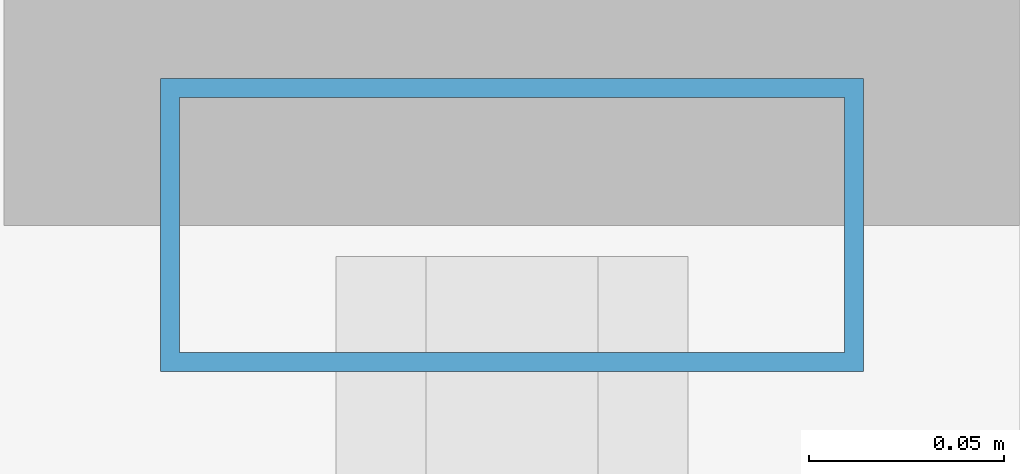
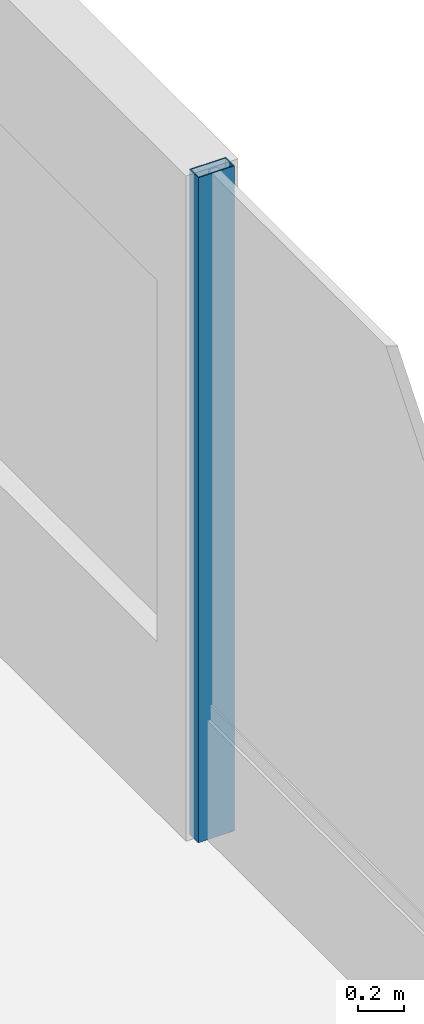
# One storey, part 15 of 25: 1 member, 1 element without a shape of its own.
"""IFC4 building model written with IfcOpenShell, lengths in metres."""

from ifc_helpers import new_model, si_unit, direction, frame, origin, origin_2d, place, context, subcontext, project, spatial, hollow_rectangle, extrude, material, layer, layer_set, material_profile, profile_set, type_object, element, aggregate, save


model = new_model("IFC4")

# Units and contexts
model_context = context("Model", 3, precision=1e-05, world=origin(), true_north=direction((0.0, 1.0)))
body_context = subcontext(model_context, "Body", "Model", "MODEL_VIEW")
ifc_project = project(units=[si_unit("LENGTHUNIT", "METRE"), si_unit("AREAUNIT", "SQUARE_METRE"), si_unit("VOLUMEUNIT", "CUBIC_METRE"), si_unit("PLANEANGLEUNIT", "RADIAN"), si_unit("MASSUNIT", "GRAM", prefix="KILO")], contexts=[model_context])

# Site, building, storey
site_placement = place(None, origin())
site = spatial("IfcSite", under=ifc_project, at=site_placement, CompositionType="ELEMENT")
building_placement = place(site_placement, origin())
building = spatial("IfcBuilding", under=site, at=building_placement, Name="Belovzor Exchange Tower", CompositionType="ELEMENT")
storey_placement = place(building_placement, frame((0.0, 0.0, 254.10009765625)))
storey = spatial("IfcBuildingStorey", under=building, at=storey_placement, Name="L63", CompositionType="ELEMENT", Elevation=254.10009765625)

# Curtain wall, member
ifc_material_1 = material(Name="Anodised Aluminium Framing", Category="aluminium")
ifc_layer = layer(ifc_material_1, 0.179931640625)
ifc_layer_set = layer_set([ifc_layer], Name="Anodised Aluminium Framing")
curtain_wall_type = type_object("IfcCurtainWallType", Name="Recessed Loggia Low-Iron Triple-Glazed Curtain Wall", PredefinedType="NOTDEFINED", material=ifc_layer_set)
curtain_wall_placement = place(storey_placement, origin())
curtain_wall = element("IfcCurtainWall", 1, at=curtain_wall_placement, inside=storey, type_object=curtain_wall_type, Name="CW3 Recessed Loggia Low-Iron Triple-Glazed Curtain Wall L63", PredefinedType="NOTDEFINED")
ifc_material_2 = material(Name="Steel S355", Category="steel")
ifc_material_profile = material_profile(ifc_material_2, hollow_rectangle(XDim=0.074951171875, YDim=0.179931640625, WallThickness=0.0048828125, at=origin_2d()))
ifc_profile_set = profile_set([ifc_material_profile], Name="Steel S355")
member_type = type_object("IfcMemberType", Name="Thermally Broken Curtain Wall Mullion 180x75", PredefinedType="MULLION", material=ifc_profile_set)
member_placement = place(storey_placement, frame((53.570068359375, 33.60009765625, 0.0), z_axis=(0.0, 0.0, 1.0), x_axis=(0.0, -1.0, 0.0)))
member = element("IfcMember", 2, at=member_placement, type_object=member_type, Name="CW-M180 Curtain Wall Mullion 1", PredefinedType="MULLION", context=body_context, shape_type="SweptSolid", body=[
    extrude(hollow_rectangle(XDim=0.074951171875, YDim=0.179931640625, WallThickness=0.0048828125, at=origin_2d()), origin(), (0.0, 0.0, 1.0), 3.5),
])
aggregate(curtain_wall, [member])

save(model, "model.ifc")
